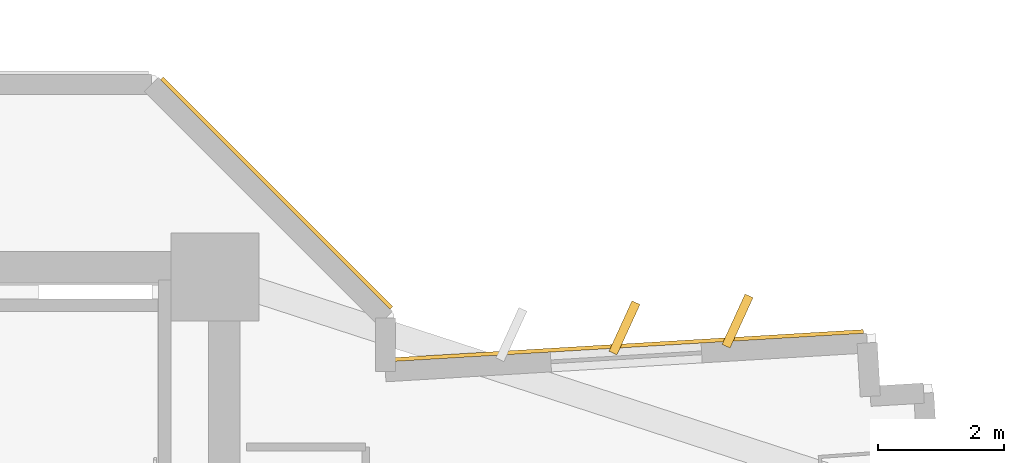
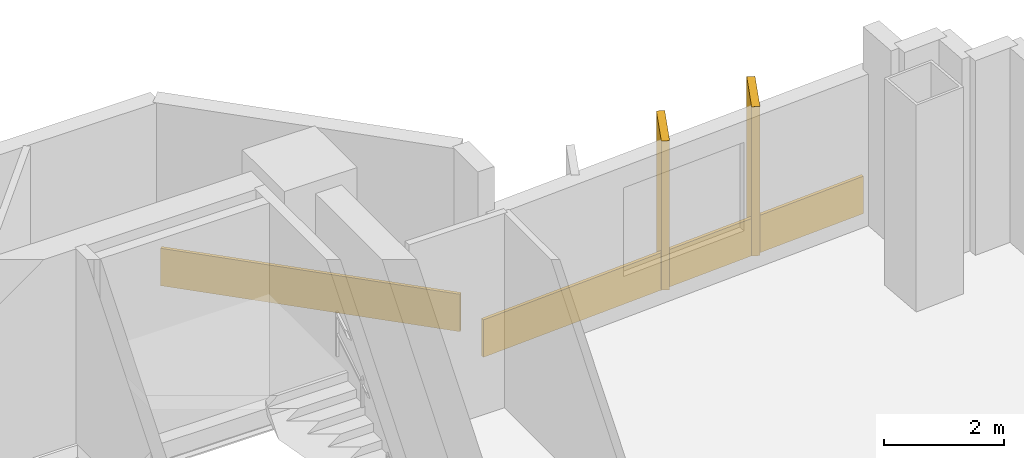
# One storey, part 15 of 15: 4 coverings.
"""IFC4 building model written with IfcOpenShell, lengths in metres."""

import ifcopenshell
import ifcopenshell.guid

model = None  # the IFC model being written
_history = None  # IfcOwnerHistory: only IFC2X3 demands one
_inside = {}  # id of a spatial element -> (the spatial element, [elements in it])
_under = {}  # id of a project, library or spatial element -> (it, [spatial elements below it])
_declared = {}  # id of a project -> (the project, [libraries it declares])
_typed = {}  # id of a type object -> (the type object, [elements of that type])
_made_of = {}  # id of a material, layer set ... -> (it, [elements and type objects made of it])


def new_model(schema):
    """Start an empty IFC model of exactly this schema.

    Asked for "IFC4X3", IfcOpenShell would pick the latest addendum, in which some entities
    have other attributes; the version numbers below select the first issue.
    IFC2X3 requires an IfcOwnerHistory on every rooted entity: one is made here for all.
    """
    global model, _history
    if schema == "IFC4X3":
        model = ifcopenshell.file(schema_version=(4, 3, 0, 0))
    else:
        model = ifcopenshell.file(schema=schema)
    _inside.clear()
    _under.clear()
    _declared.clear()
    _typed.clear()
    _made_of.clear()
    _history = None
    if model.schema == "IFC2X3":
        org = make("IfcOrganization", Name="unknown")
        user = make(
            "IfcPersonAndOrganization",
            ThePerson=make("IfcPerson", FamilyName="unknown"),
            TheOrganization=org,
        )
        app = make(
            "IfcApplication",
            ApplicationDeveloper=org,
            Version="unknown",
            ApplicationFullName="unknown",
            ApplicationIdentifier="unknown",
        )
        _history = make(
            "IfcOwnerHistory",
            OwningUser=user,
            OwningApplication=app,
            ChangeAction="ADDED",
            CreationDate=0,
        )
    return model


def make(cls, **values):
    """One entity of the class cls with the attributes given. An attribute that is None is left unset."""
    return model.create_entity(
        cls, **{name: value for name, value in values.items() if value is not None}
    )


def rooted(cls, **values):
    """An entity with a GlobalId (a new one), such as an element, a storey or a relation."""
    return make(cls, GlobalId=ifcopenshell.guid.new(), OwnerHistory=_history, **values)


def si_unit(unit_type, name, prefix=None):
    """IfcSIUnit, for example si_unit("LENGTHUNIT", "METRE", prefix="MILLI")."""
    return make("IfcSIUnit", UnitType=unit_type, Prefix=prefix, Name=name)


def assignment(units):
    """IfcUnitAssignment: the units of a project."""
    return None if units is None else make("IfcUnitAssignment", Units=units)


def point(xyz):
    """IfcCartesianPoint."""
    return None if xyz is None else make("IfcCartesianPoint", Coordinates=xyz)


def direction(xyz):
    """IfcDirection."""
    return None if xyz is None else make("IfcDirection", DirectionRatios=xyz)


def frame(location, z_axis=None, x_axis=None):
    """IfcAxis2Placement3D, a coordinate frame: its origin and axes. An axis left out is left unset."""
    return make(
        "IfcAxis2Placement3D",
        Location=point(location),
        Axis=direction(z_axis),
        RefDirection=direction(x_axis),
    )


def frame_2d(location, x_axis=None):
    """IfcAxis2Placement2D, a coordinate frame in the plane: its origin and x axis."""
    return make(
        "IfcAxis2Placement2D", Location=point(location), RefDirection=direction(x_axis)
    )


def origin():
    """The frame at (0, 0, 0) with its axes left unset."""
    return frame((0.0, 0.0, 0.0))


def origin_2d():
    """The frame at (0, 0) in the plane with its x axis left unset."""
    return frame_2d((0.0, 0.0))


def place(relative_to, where):
    """IfcLocalPlacement: puts the frame where relative to a parent placement (None: the world)."""
    return make(
        "IfcLocalPlacement", PlacementRelTo=relative_to, RelativePlacement=where
    )


def context(
    kind, dimensions, precision=None, world=None, true_north=None, identifier=None
):
    """IfcGeometricRepresentationContext, for example the 3D "Model" context."""
    return make(
        "IfcGeometricRepresentationContext",
        ContextIdentifier=identifier,
        ContextType=kind,
        CoordinateSpaceDimension=dimensions,
        Precision=precision,
        WorldCoordinateSystem=world,
        TrueNorth=true_north,
    )


def subcontext(parent, identifier, kind, view, scale=None):
    """IfcGeometricRepresentationSubContext, for example "Body" below "Model"."""
    return make(
        "IfcGeometricRepresentationSubContext",
        ContextIdentifier=identifier,
        ContextType=kind,
        ParentContext=parent,
        TargetScale=scale,
        TargetView=view,
    )


def project(units=None, contexts=None):
    """IfcProject with its units and contexts."""
    return rooted(
        "IfcProject",
        Name="project",
        RepresentationContexts=contexts,
        UnitsInContext=assignment(units),
    )


def spatial(cls, under=None, at=None, **own):
    """A site, building, storey or space (cls), placed at a placement, below another one or the project."""
    s = rooted(cls, ObjectPlacement=at, **own)
    if under is not None:
        _under.setdefault(under.id(), (under, []))[1].append(s)
    return s


def profile(cls, at=None, kind="AREA", **sizes):
    """A parametric profile (cls). Its sizes go by their IFC names, for example OverallWidth=200.0."""
    return make(cls, ProfileType=kind, Position=at, **sizes)


def rectangle(**sizes):
    """IfcRectangleProfileDef."""
    return profile("IfcRectangleProfileDef", **sizes)


def extrude(swept, where, along, depth):
    """IfcExtrudedAreaSolid: the profile swept, set in the frame where, extruded along a direction by depth."""
    return make(
        "IfcExtrudedAreaSolid",
        SweptArea=swept,
        Position=where,
        ExtrudedDirection=direction(along),
        Depth=depth,
    )


def shape(context_of_items, identifier, shape_type, items):
    """IfcShapeRepresentation: the items that make up one representation, for example the "Body"."""
    return make(
        "IfcShapeRepresentation",
        ContextOfItems=context_of_items,
        RepresentationIdentifier=identifier,
        RepresentationType=shape_type,
        Items=items,
    )


def source(mapping_origin, context_of_items, identifier, shape_type, items):
    """IfcRepresentationMap: a shape defined once, which mapped items show again and again."""
    return make(
        "IfcRepresentationMap",
        MappingOrigin=mapping_origin,
        MappedRepresentation=shape(context_of_items, identifier, shape_type, items),
    )


def transform(
    local_origin,
    x_axis=None,
    y_axis=None,
    z_axis=None,
    scale=None,
    scale2=None,
    scale3=None,
    uniform=True,
):
    """IfcCartesianTransformationOperator3D, or its non-uniform kind. x_axis, y_axis, z_axis: its Axis1, 2, 3."""
    if uniform:
        return make(
            "IfcCartesianTransformationOperator3D",
            Axis1=direction(x_axis),
            Axis2=direction(y_axis),
            LocalOrigin=point(local_origin),
            Scale=scale,
            Axis3=direction(z_axis),
        )
    return make(
        "IfcCartesianTransformationOperator3DnonUniform",
        Axis1=direction(x_axis),
        Axis2=direction(y_axis),
        LocalOrigin=point(local_origin),
        Scale=scale,
        Axis3=direction(z_axis),
        Scale2=scale2,
        Scale3=scale3,
    )


def mapped(mapping_source, mapping_target):
    """IfcMappedItem: shows the shape of a source again, moved by a transform."""
    return make(
        "IfcMappedItem", MappingSource=mapping_source, MappingTarget=mapping_target
    )


def material(Name=None, Category=None):
    """IfcMaterial."""
    return make("IfcMaterial", Name=Name, Category=Category)


def layer(
    of_material, thickness, ventilated=None, Name=None, Category=None, Priority=None
):
    """IfcMaterialLayer: one layer of a wall or slab, of a material (None: an air gap)."""
    return make(
        "IfcMaterialLayer",
        Material=of_material,
        LayerThickness=thickness,
        IsVentilated=ventilated,
        Name=Name,
        Category=Category,
        Priority=Priority,
    )


def layer_set(layers, Name=None):
    """IfcMaterialLayerSet."""
    return make("IfcMaterialLayerSet", MaterialLayers=layers, LayerSetName=Name)


def made_of(thing, what):
    """Note that an element or type object is made of a material, layer set ...; save() writes the relation."""
    if what is not None:
        _made_of.setdefault(what.id(), (what, []))[1].append(thing)
    return thing


def type_object(cls, material=None, **own):
    """A type object (cls), such as IfcWallType, which elements share."""
    return made_of(rooted(cls, **own), material)


def element(
    cls,
    number,
    at=None,
    inside=None,
    cuts=None,
    type_object=None,
    material=None,
    context=None,
    identifier="Body",
    shape_type=None,
    held_by="IfcProductDefinitionShape",
    body=None,
    shapes=None,
    **own,
):
    """One element of the class cls, such as IfcWall. Its Tag is "e" and its number.

    at: its placement. inside: the storey or other place that contains it. cuts: it is an
    opening in that element (IfcRelVoidsElement). A single representation is given by context,
    identifier, shape_type and body (its items); several are given by shapes. held_by: the class
    of the entity that holds the representations. save() writes the other relations.
    """
    e = rooted(cls, Tag="e%d" % number, ObjectPlacement=at, **own)
    if body is not None:
        shapes = [shape(context, identifier, shape_type, body)]
    if shapes is not None:
        e.Representation = make(held_by, Representations=shapes)
    if inside is not None:
        _inside.setdefault(inside.id(), (inside, []))[1].append(e)
    if cuts is not None:
        rooted(
            "IfcRelVoidsElement", RelatingBuildingElement=cuts, RelatedOpeningElement=e
        )
    if type_object is not None:
        _typed.setdefault(type_object.id(), (type_object, []))[1].append(e)
    return made_of(e, material)


def aggregate(whole, parts):
    """IfcRelAggregates: a whole, such as a stair, and the parts it consists of."""
    return rooted("IfcRelAggregates", RelatingObject=whole, RelatedObjects=parts)


def save(model, path):
    """Write the relations noted so far, then the file.

    IfcRelAggregates (storeys below a building ...), IfcRelContainedInSpatialStructure (elements
    in a storey), IfcRelDefinesByType, IfcRelAssociatesMaterial and IfcRelDeclares: one each for
    every whole, place, type object, material and project.
    """
    for whole, parts in _under.values():
        aggregate(whole, parts)
    for where, things in _inside.values():
        rooted(
            "IfcRelContainedInSpatialStructure",
            RelatedElements=things,
            RelatingStructure=where,
        )
    for kind, things in _typed.values():
        rooted("IfcRelDefinesByType", RelatedObjects=things, RelatingType=kind)
    for what, things in _made_of.values():
        rooted("IfcRelAssociatesMaterial", RelatedObjects=things, RelatingMaterial=what)
    for by, libraries in _declared.values():
        rooted("IfcRelDeclares", RelatingContext=by, RelatedDefinitions=libraries)
    model.write(path)


model = new_model("IFC4")

# Units and contexts
model_context = context("Model", 3, precision=1e-05, world=origin(), true_north=direction((0.0, 1.0)))
body_context = subcontext(model_context, "Body", "Model", "MODEL_VIEW")
ifc_project = project(units=[si_unit("LENGTHUNIT", "METRE"), si_unit("AREAUNIT", "SQUARE_METRE"), si_unit("VOLUMEUNIT", "CUBIC_METRE"), si_unit("PLANEANGLEUNIT", "RADIAN"), si_unit("MASSUNIT", "GRAM", prefix="KILO")], contexts=[model_context])

# Site, building, storey
site_placement = place(None, origin())
site = spatial("IfcSite", under=ifc_project, at=site_placement, CompositionType="ELEMENT")
building_placement = place(site_placement, origin())
building = spatial("IfcBuilding", under=site, at=building_placement, Name="Zahravan Cultural Tower", CompositionType="ELEMENT")
storey_placement = place(building_placement, frame((0.0, 0.0, 71.10009765625)))
storey = spatial("IfcBuildingStorey", under=building, at=storey_placement, Name="L15", CompositionType="ELEMENT", Elevation=71.10009765625)

# Coverings
ifc_material = material(Name="Terracotta ceramic cladding", Category="masonry")
ifc_layer = layer(ifc_material, 0.06005859375)
ifc_layer_set = layer_set([ifc_layer], Name="Terracotta ceramic cladding")
covering_type = type_object("IfcCoveringType", Name="COV-CLAD-TC60", PredefinedType="CLADDING", material=ifc_layer_set)
shared_shape_1 = source(origin(), body_context, "Body", "SweptSolid", [
    extrude(rectangle(XDim=5.157958984375, YDim=0.06005859375, at=origin_2d()), origin(), (0.0, 0.0, 1.0), 0.760009765625),
])
covering_1_placement = place(storey_placement, frame((51.331787109375, 37.53173828125, 0.02001953125), z_axis=(0.0, 0.0, 1.0), x_axis=(0.707106781187, -0.707106781187, 0.0)))
element("IfcCovering", 1, at=covering_1_placement, inside=storey, type_object=covering_type, Name="L15 Terracotta Spandrel Cladding 53", PredefinedType="CLADDING", context=body_context, shape_type="MappedRepresentation", body=[
    mapped(shared_shape_1, transform((0.0, 0.0, 0.0), x_axis=(1.0, 0.0, 0.0), y_axis=(0.0, 1.0, 0.0), z_axis=(0.0, 0.0, 1.0), scale=1.0)),
])
shared_shape_2 = source(origin(), body_context, "Body", "SweptSolid", [
    extrude(rectangle(XDim=0.8798828125, YDim=0.139892578125, at=origin_2d()), origin(), (0.0, 0.0, 1.0), 3.030029296875),
])
for number, where, z_axis, x_axis, name in (
    (2, (56.86083984375, 35.389404296875, 0.0498046875), (0.0, 0.0, 1.0), (0.41596338363, 0.909381363059, 0.0), "L15 Herringbone Terracotta Fin 02"),
    (3, (58.65771484375, 35.496826171875, 0.0498046875), (0.0, 0.0, 1.0), (0.41596338363, 0.909381363059, 0.0), "L15 Herringbone Terracotta Fin 03"),
):
    element("IfcCovering", number, at=place(storey_placement, frame(where, z_axis=z_axis, x_axis=x_axis)), inside=storey, type_object=covering_type, Name=name, PredefinedType="CLADDING", context=body_context, shape_type="MappedRepresentation", body=[
        mapped(shared_shape_2, transform((0.0, 0.0, 0.0), x_axis=(1.0, 0.0, 0.0), y_axis=(0.0, 1.0, 0.0), z_axis=(0.0, 0.0, 1.0), scale=1.0)),
    ])
shared_shape_3 = source(origin(), body_context, "Body", "SweptSolid", [
    extrude(rectangle(XDim=7.571533203125, YDim=0.06005859375, at=origin_2d()), origin(), (0.0, 0.0, 1.0), 0.760009765625),
])
covering_2_placement = place(storey_placement, frame((56.8779296875, 35.10498046875, 0.02001953125), z_axis=(0.0, 0.0, 1.0), x_axis=(0.998219065278, 0.05965482139, 0.0)))
element("IfcCovering", 4, at=covering_2_placement, inside=storey, type_object=covering_type, Name="L15 Terracotta Spandrel Cladding 01", PredefinedType="CLADDING", context=body_context, shape_type="MappedRepresentation", body=[
    mapped(shared_shape_3, transform((0.0, 0.0, 0.0), x_axis=(1.0, 0.0, 0.0), y_axis=(0.0, 1.0, 0.0), z_axis=(0.0, 0.0, 1.0), scale=1.0)),
])

save(model, "model.ifc")
